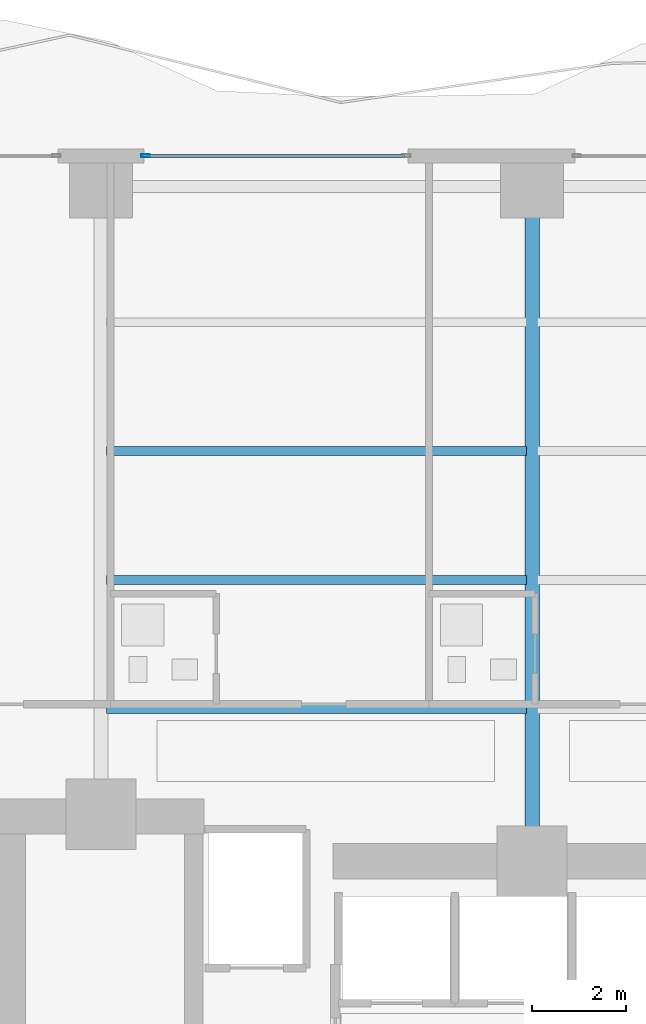
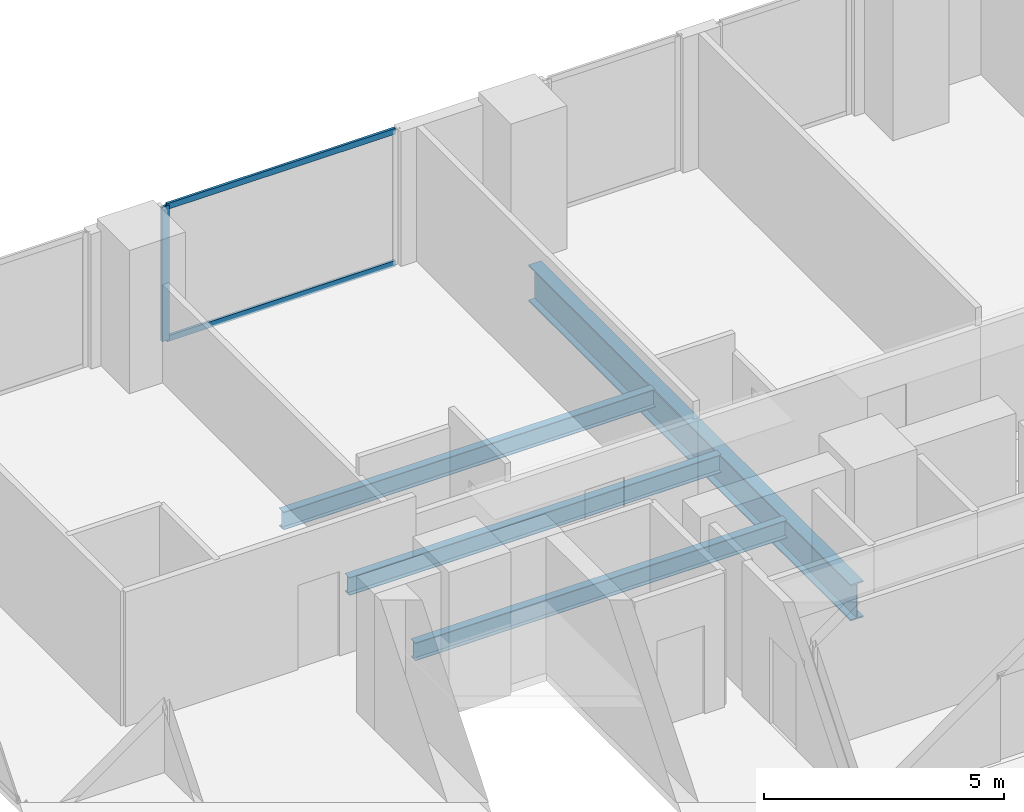
# One storey, part 15 of 30: 4 beams, 3 members, 1 element without a shape of its own.
"""IFC4 building model written with IfcOpenShell, lengths in metres."""

from ifc_helpers import new_model, si_unit, direction, frame, origin, origin_2d, place, context, subcontext, project, spatial, hollow_rectangle, i_section, extrude, material, layer, layer_set, material_profile, profile_set, type_object, element, aggregate, save


model = new_model("IFC4")

# Units and contexts
model_context = context("Model", 3, precision=1e-05, world=origin(), true_north=direction((0.0, 1.0)))
body_context = subcontext(model_context, "Body", "Model", "MODEL_VIEW")
ifc_project = project(units=[si_unit("LENGTHUNIT", "METRE"), si_unit("AREAUNIT", "SQUARE_METRE"), si_unit("VOLUMEUNIT", "CUBIC_METRE"), si_unit("PLANEANGLEUNIT", "RADIAN"), si_unit("MASSUNIT", "GRAM", prefix="KILO")], contexts=[model_context])

# Site, building, storey
site_placement = place(None, origin())
site = spatial("IfcSite", under=ifc_project, at=site_placement, CompositionType="ELEMENT")
building_placement = place(site_placement, origin())
building = spatial("IfcBuilding", under=site, at=building_placement, Name="Zuhayl Quay Hotel", CompositionType="ELEMENT")
storey_placement = place(building_placement, frame((0.0, 0.0, 135.800048828125)))
storey = spatial("IfcBuildingStorey", under=building, at=storey_placement, Name="L34", CompositionType="ELEMENT", Elevation=135.800048828125)

# Beams
ifc_material_1 = material(Name="Steel ASTM A992 Grade 50", Category="steel")
ifc_material_profile_1 = material_profile(ifc_material_1, i_section(OverallWidth=0.18994140625, OverallDepth=0.45703125, WebThickness=0.009033203125, FlangeThickness=0.014404296875, at=origin_2d()), Name="W18X50")
ifc_profile_set_1 = profile_set([ifc_material_profile_1], Name="Steel ASTM A992 Grade 50")
beam_type_1 = type_object("IfcBeamType", Name="BM_J2_W18X50", PredefinedType="JOIST", material=ifc_profile_set_1)
for number, where, z_axis, x_axis, name in (
    (1, (-13.680908203125, 16.60009765625, -0.448486328125), (1.0, 0.0, 0.0), (0.0, 1.0, 0.0), "L34 Floor Beam FJ_L34_1_1"),
    (2, (-13.680908203125, 19.35009765625, -0.448486328125), (1.0, 0.0, 0.0), (0.0, 1.0, 0.0), "L34 Floor Beam FJ_L34_2_1"),
    (3, (-13.680908203125, 22.10009765625, -0.448486328125), (1.0, 0.0, 0.0), (0.0, 1.0, 0.0), "L34 Floor Beam FJ_L34_3_1"),
):
    element("IfcBeam", number, at=place(storey_placement, frame(where, z_axis=z_axis, x_axis=x_axis)), inside=storey, type_object=beam_type_1, Name=name, PredefinedType="JOIST", context=body_context, shape_type="SweptSolid", body=[
        extrude(i_section(OverallWidth=0.18994140625, OverallDepth=0.45703125, WebThickness=0.009033203125, FlangeThickness=0.014404296875, at=origin_2d()), origin(), (0.0, 0.0, 1.0), 8.9619140625),
    ])
ifc_material_profile_2 = material_profile(ifc_material_1, i_section(OverallWidth=0.306884765625, OverallDepth=0.927001953125, WebThickness=0.019287109375, FlangeThickness=0.031982421875, at=origin_2d()), Name="W36X194")
ifc_profile_set_2 = profile_set([ifc_material_profile_2], Name="Steel ASTM A992 Grade 50")
beam_type_2 = type_object("IfcBeamType", Name="BM_PG2_W36X194", PredefinedType="BEAM", material=ifc_profile_set_2)
beam_placement = place(storey_placement, frame((-4.60009765625, 13.800048828125, -0.68359375), z_axis=(0.0, 1.0, 0.0), x_axis=(-1.0, 0.0, 0.0)))
element("IfcBeam", 4, at=beam_placement, inside=storey, type_object=beam_type_2, Name="L34 Floor Beam FG_N_L34_2", PredefinedType="BEAM", context=body_context, shape_type="SweptSolid", body=[
    extrude(i_section(OverallWidth=0.306884765625, OverallDepth=0.927001953125, WebThickness=0.019287109375, FlangeThickness=0.031982421875, at=origin_2d()), origin(), (0.0, 0.0, 1.0), 13.449951171875),
])

# Curtain wall, members
ifc_material_2 = material(Name="Anodised Aluminium 6063-T6", Category="aluminium")
ifc_layer = layer(ifc_material_2, 0.179931640625, Name="Anodised Aluminium 6063-T6", Category="aluminium")
ifc_layer_set = layer_set([ifc_layer], Name="Anodised Aluminium 6063-T6")
curtain_wall_type = type_object("IfcCurtainWallType", Name="CW_SYS_Z2", PredefinedType="USERDEFINED", material=ifc_layer_set)
curtain_wall_placement = place(storey_placement, origin())
curtain_wall = element("IfcCurtainWall", 5, at=curtain_wall_placement, inside=storey, type_object=curtain_wall_type, Name="L34 Curtain Wall ENV_L34_N_CW2", ObjectType="UNITISED CURTAIN WALL", PredefinedType="USERDEFINED")
ifc_material_3 = material(Name="Black-anodised aluminium 6063-T6", Category="aluminium")
ifc_material_profile_3 = material_profile(ifc_material_3, hollow_rectangle(XDim=0.06494140625, YDim=0.179931640625, WallThickness=0.00341796875, at=origin_2d()), Name="ALU180X65")
ifc_profile_set_3 = profile_set([ifc_material_profile_3], Name="Black-anodised aluminium 6063-T6")
member_type_1 = type_object("IfcMemberType", Name="MB_CW_MUL_180", PredefinedType="MULLION", material=ifc_profile_set_3)
member_1_placement = place(storey_placement, frame((-12.847412109375, 28.39990234375, 0.0), z_axis=(0.0, 0.0, 1.0), x_axis=(0.0, 1.0, 0.0)))
member_1 = element("IfcMember", 6, at=member_1_placement, type_object=member_type_1, Name="CW-Z2 mullion 1", PredefinedType="MULLION", context=body_context, shape_type="SweptSolid", body=[
    extrude(hollow_rectangle(XDim=0.06494140625, YDim=0.179931640625, WallThickness=0.00341796875, at=origin_2d()), origin(), (0.0, 0.0, 1.0), 3.429931640625),
])
ifc_material_profile_4 = material_profile(ifc_material_3, hollow_rectangle(XDim=0.06005859375, YDim=0.14990234375, WallThickness=0.00341796875, at=origin_2d()), Name="ALU150X60")
ifc_profile_set_4 = profile_set([ifc_material_profile_4], Name="Black-anodised aluminium 6063-T6")
member_type_2 = type_object("IfcMemberType", Name="MB_CW_TRN_150", PredefinedType="USERDEFINED", material=ifc_profile_set_4)
member_2_placement = place(storey_placement, frame((-12.81494140625, 28.39990234375, 0.030029296875), z_axis=(1.0, 0.0, 0.0), x_axis=(0.0, 1.0, 0.0)))
member_2 = element("IfcMember", 7, at=member_2_placement, type_object=member_type_2, Name="CW-Z2 transom 1.1", ObjectType="TRANSOM", PredefinedType="USERDEFINED", context=body_context, shape_type="SweptSolid", body=[
    extrude(hollow_rectangle(XDim=0.06005859375, YDim=0.14990234375, WallThickness=0.00341796875, at=origin_2d()), origin(), (0.0, 0.0, 1.0), 5.5),
])
member_3_placement = place(storey_placement, frame((-12.81494140625, 28.39990234375, 3.39990234375), z_axis=(1.0, 0.0, 0.0), x_axis=(0.0, 1.0, 0.0)))
member_3 = element("IfcMember", 8, at=member_3_placement, type_object=member_type_2, Name="CW-Z2 transom 1.2", ObjectType="TRANSOM", PredefinedType="USERDEFINED", context=body_context, shape_type="SweptSolid", body=[
    extrude(hollow_rectangle(XDim=0.06005859375, YDim=0.14990234375, WallThickness=0.00341796875, at=origin_2d()), origin(), (0.0, 0.0, 1.0), 5.5),
])
aggregate(curtain_wall, [member_1, member_2, member_3])

save(model, "model.ifc")
